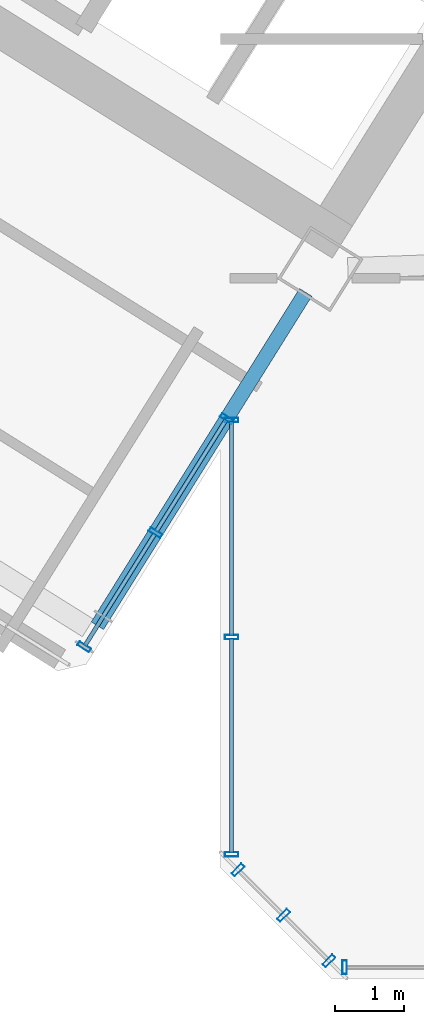
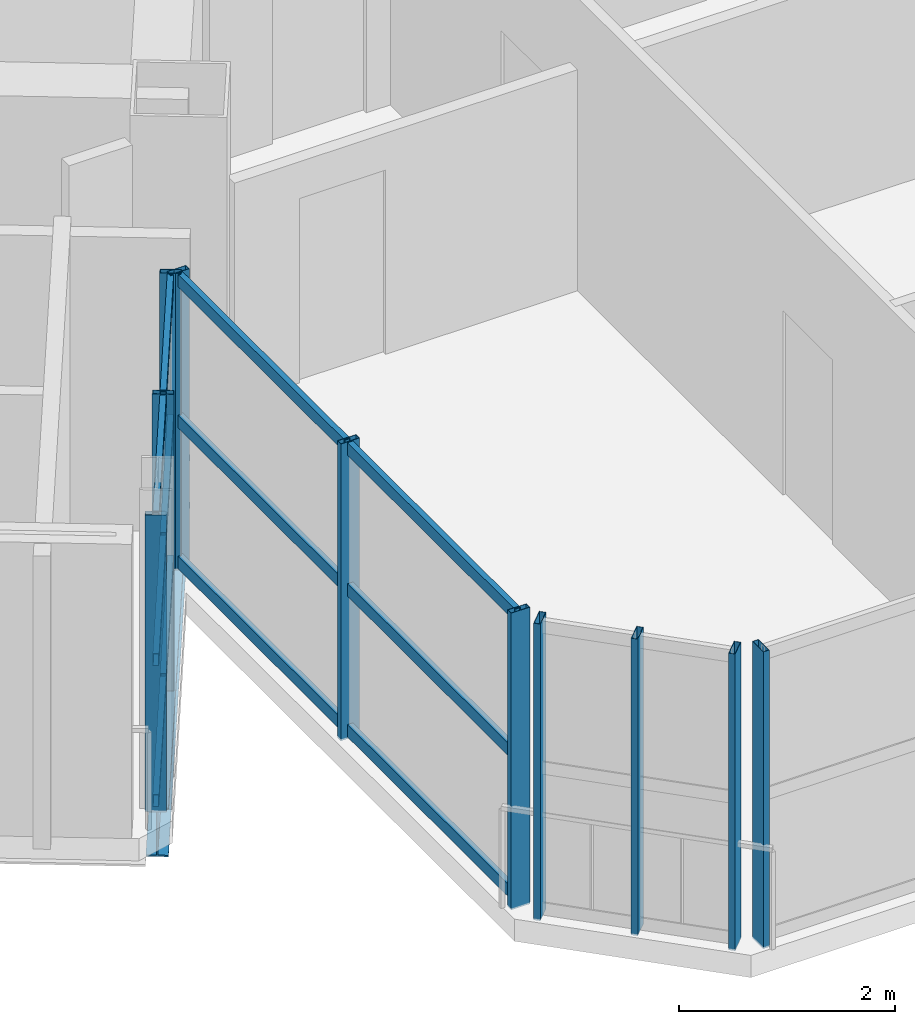
# One storey, part 6 of 29: 22 members, 1 beam, 4 elements without a shape of their own.
"""IFC4 building model written with IfcOpenShell, lengths in metres."""

from ifc_helpers import new_model, si_unit, direction, frame, origin, origin_2d, place, context, subcontext, project, spatial, hollow_rectangle, i_section, extrude, source, transform, mapped, material, material_profile, profile_set, type_object, element, aggregate, save


model = new_model("IFC4")

# Units and contexts
model_context = context("Model", 3, precision=1e-05, world=origin(), true_north=direction((0.0, 1.0)))
body_context = subcontext(model_context, "Body", "Model", "MODEL_VIEW")
ifc_project = project(units=[si_unit("LENGTHUNIT", "METRE"), si_unit("AREAUNIT", "SQUARE_METRE"), si_unit("VOLUMEUNIT", "CUBIC_METRE"), si_unit("PLANEANGLEUNIT", "RADIAN"), si_unit("MASSUNIT", "GRAM", prefix="KILO")], contexts=[model_context])

# Site, building, storey
site_placement = place(None, origin())
site = spatial("IfcSite", under=ifc_project, at=site_placement, CompositionType="ELEMENT")
building_placement = place(site_placement, origin())
building = spatial("IfcBuilding", under=site, at=building_placement, Name="Tlacorven Tower", CompositionType="ELEMENT")
storey_placement = place(building_placement, frame((0.0, 0.0, 165.89990234375)))
storey = spatial("IfcBuildingStorey", under=building, at=storey_placement, Name="L42", CompositionType="ELEMENT", Elevation=165.89990234375)

# Beam
ifc_material_1 = material(Name="Steel S355J2", Category="steel")
ifc_material_profile_1 = material_profile(ifc_material_1, i_section(OverallWidth=0.2099609375, OverallDepth=0.550048828125, WebThickness=0.010986328125, FlangeThickness=0.01708984375, at=origin_2d()), Name="IPE 550")
ifc_profile_set_1 = profile_set([ifc_material_profile_1], Name="Steel S355J2")
beam_type = type_object("IfcBeamType", Name="BM-TWR-550", PredefinedType="BEAM", material=ifc_profile_set_1)
shared_shape_1 = source(origin(), body_context, "Body", "SweptSolid", [
    extrude(i_section(OverallWidth=0.2099609375, OverallDepth=0.550048828125, WebThickness=0.010986328125, FlangeThickness=0.01708984375, at=origin_2d()), origin(), (0.0, 0.0, 1.0), 5.699951171875),
])
beam_placement = place(storey_placement, frame((32.834228515625, 11.74755859375, -0.52490234375), z_axis=(-0.529925785607, -0.848044021115, 0.0), x_axis=(0.848044021115, -0.529925785607, 0.0)))
element("IfcBeam", 1, at=beam_placement, inside=storey, type_object=beam_type, Name="L42 beam BM-L42-WT1-2", PredefinedType="BEAM", context=body_context, shape_type="MappedRepresentation", body=[
    mapped(shared_shape_1, transform((0.0, 0.0, 0.0), scale=1.0)),
])

# Curtain wall, members
ifc_material_2 = material(Name="Dark solar low-E double glazing in aluminium frame", Category="aluminium")
curtain_wall_type = type_object("IfcCurtainWallType", Name="CW-TWR-MID", PredefinedType="USERDEFINED", material=ifc_material_2)
curtain_wall_1_placement = place(storey_placement, origin())
curtain_wall_1 = element("IfcCurtainWall", 2, at=curtain_wall_1_placement, inside=storey, type_object=curtain_wall_type, Name="L42 CW-TWR-MID Curtain Wall 193", ObjectType="UNITISED CURTAIN WALL", PredefinedType="USERDEFINED")
ifc_material_3 = material(Name="Aluminium 6063-T6 anodised", Category="aluminium")
ifc_material_profile_2 = material_profile(ifc_material_3, hollow_rectangle(XDim=0.06005859375, YDim=0.139892578125, WallThickness=0.00390625, at=origin_2d()), Name="ALU TRANSOM 60X140")
ifc_profile_set_2 = profile_set([ifc_material_profile_2], Name="Aluminium 6063-T6 anodised")
member_type_1 = type_object("IfcMemberType", Name="CWT-02", PredefinedType="USERDEFINED", material=ifc_profile_set_2)
shared_shape_2 = source(origin(), body_context, "Body", "SweptSolid", [
    extrude(hollow_rectangle(XDim=0.06005859375, YDim=0.139892578125, WallThickness=0.00390625, at=origin_2d()), origin(), (0.0, 0.0, 1.0), 3.107666015625),
])
member_1_placement = place(storey_placement, frame((31.760009765625, 3.619384765625, 0.070068359375), z_axis=(0.0, 1.0, 0.0), x_axis=(-1.0, 0.0, 0.0)))
member_1 = element("IfcMember", 3, at=member_1_placement, type_object=member_type_1, Name="CW-L42-193 Transom 1", ObjectType="TRANSOM", PredefinedType="USERDEFINED", context=body_context, shape_type="MappedRepresentation", body=[
    mapped(shared_shape_2, transform((0.0, 0.0, 0.0), scale=1.0)),
])
member_2_placement = place(storey_placement, frame((31.760009765625, 3.619384765625, 1.66015625), z_axis=(0.0, 1.0, 0.0), x_axis=(-1.0, 0.0, 0.0)))
member_2 = element("IfcMember", 4, at=member_2_placement, type_object=member_type_1, Name="CW-L42-193 Transom 2", ObjectType="TRANSOM", PredefinedType="USERDEFINED", context=body_context, shape_type="MappedRepresentation", body=[
    mapped(shared_shape_2, transform((0.0, 0.0, 0.0), scale=1.0)),
])
member_3_placement = place(storey_placement, frame((31.760009765625, 3.619384765625, 3.25), z_axis=(0.0, 1.0, 0.0), x_axis=(-1.0, 0.0, 0.0)))
member_3 = element("IfcMember", 5, at=member_3_placement, type_object=member_type_1, Name="CW-L42-193 Transom 3", ObjectType="TRANSOM", PredefinedType="USERDEFINED", context=body_context, shape_type="MappedRepresentation", body=[
    mapped(shared_shape_2, transform((0.0, 0.0, 0.0), scale=1.0)),
])
member_4_placement = place(storey_placement, frame((31.760009765625, 6.76806640625, 0.070068359375), z_axis=(0.0, 1.0, 0.0), x_axis=(-1.0, 0.0, 0.0)))
member_4 = element("IfcMember", 6, at=member_4_placement, type_object=member_type_1, Name="CW-L42-193 Transom 4", ObjectType="TRANSOM", PredefinedType="USERDEFINED", context=body_context, shape_type="MappedRepresentation", body=[
    mapped(shared_shape_2, transform((0.0, 0.0, 0.0), scale=1.0)),
])
member_5_placement = place(storey_placement, frame((31.760009765625, 6.76806640625, 1.66015625), z_axis=(0.0, 1.0, 0.0), x_axis=(-1.0, 0.0, 0.0)))
member_5 = element("IfcMember", 7, at=member_5_placement, type_object=member_type_1, Name="CW-L42-193 Transom 5", ObjectType="TRANSOM", PredefinedType="USERDEFINED", context=body_context, shape_type="MappedRepresentation", body=[
    mapped(shared_shape_2, transform((0.0, 0.0, 0.0), scale=1.0)),
])
member_6_placement = place(storey_placement, frame((31.760009765625, 6.76806640625, 3.25), z_axis=(0.0, 1.0, 0.0), x_axis=(-1.0, 0.0, 0.0)))
member_6 = element("IfcMember", 8, at=member_6_placement, type_object=member_type_1, Name="CW-L42-193 Transom 6", ObjectType="TRANSOM", PredefinedType="USERDEFINED", context=body_context, shape_type="MappedRepresentation", body=[
    mapped(shared_shape_2, transform((0.0, 0.0, 0.0), scale=1.0)),
])

curtain_wall_2_placement = place(storey_placement, origin())
curtain_wall_2 = element("IfcCurtainWall", 9, at=curtain_wall_2_placement, inside=storey, type_object=curtain_wall_type, Name="L42 CW-TWR-MID Curtain Wall 194", ObjectType="UNITISED CURTAIN WALL", PredefinedType="USERDEFINED")
shared_shape_3 = source(origin(), body_context, "Body", "SweptSolid", [
    extrude(hollow_rectangle(XDim=0.06005859375, YDim=0.139892578125, WallThickness=0.00390625, at=origin_2d()), origin(), (0.0, 0.0, 1.0), 1.909912109375),
])
member_7_placement = place(storey_placement, frame((31.678955078125, 9.89892578125, 0.070068359375), z_axis=(-0.529975959448, -0.848012666419, 0.0), x_axis=(0.848012666419, -0.529975959448, 0.0)))
member_7 = element("IfcMember", 10, at=member_7_placement, type_object=member_type_1, Name="CW-L42-194 Transom 1", ObjectType="TRANSOM", PredefinedType="USERDEFINED", context=body_context, shape_type="MappedRepresentation", body=[
    mapped(shared_shape_3, transform((0.0, 0.0, 0.0), scale=1.0)),
])
member_8_placement = place(storey_placement, frame((31.678955078125, 9.89892578125, 1.66015625), z_axis=(-0.529975959448, -0.848012666419, 0.0), x_axis=(0.848012666419, -0.529975959448, 0.0)))
member_8 = element("IfcMember", 11, at=member_8_placement, type_object=member_type_1, Name="CW-L42-194 Transom 2", ObjectType="TRANSOM", PredefinedType="USERDEFINED", context=body_context, shape_type="MappedRepresentation", body=[
    mapped(shared_shape_3, transform((0.0, 0.0, 0.0), scale=1.0)),
])
member_9_placement = place(storey_placement, frame((31.678955078125, 9.89892578125, 3.25), z_axis=(-0.529975959448, -0.848012666419, 0.0), x_axis=(0.848012666419, -0.529975959448, 0.0)))
member_9 = element("IfcMember", 12, at=member_9_placement, type_object=member_type_1, Name="CW-L42-194 Transom 3", ObjectType="TRANSOM", PredefinedType="USERDEFINED", context=body_context, shape_type="MappedRepresentation", body=[
    mapped(shared_shape_3, transform((0.0, 0.0, 0.0), scale=1.0)),
])
shared_shape_4 = source(origin(), body_context, "Body", "SweptSolid", [
    extrude(hollow_rectangle(XDim=0.06005859375, YDim=0.139892578125, WallThickness=0.00390625, at=origin_2d()), origin(), (0.0, 0.0, 1.0), 1.90966796875),
])
member_10_placement = place(storey_placement, frame((30.64501953125, 8.244384765625, 0.070068359375), z_axis=(-0.529884025548, -0.848070114713, 0.0), x_axis=(0.848070114713, -0.529884025548, 0.0)))
member_10 = element("IfcMember", 13, at=member_10_placement, type_object=member_type_1, Name="CW-L42-194 Transom 4", ObjectType="TRANSOM", PredefinedType="USERDEFINED", context=body_context, shape_type="MappedRepresentation", body=[
    mapped(shared_shape_4, transform((0.0, 0.0, 0.0), scale=1.0)),
])
member_11_placement = place(storey_placement, frame((30.64501953125, 8.244384765625, 1.66015625), z_axis=(-0.529884025548, -0.848070114713, 0.0), x_axis=(0.848070114713, -0.529884025548, 0.0)))
member_11 = element("IfcMember", 14, at=member_11_placement, type_object=member_type_1, Name="CW-L42-194 Transom 5", ObjectType="TRANSOM", PredefinedType="USERDEFINED", context=body_context, shape_type="MappedRepresentation", body=[
    mapped(shared_shape_4, transform((0.0, 0.0, 0.0), scale=1.0)),
])
member_12_placement = place(storey_placement, frame((30.64501953125, 8.244384765625, 3.25), z_axis=(-0.529884025548, -0.848070114713, 0.0), x_axis=(0.848070114713, -0.529884025548, 0.0)))
member_12 = element("IfcMember", 15, at=member_12_placement, type_object=member_type_1, Name="CW-L42-194 Transom 6", ObjectType="TRANSOM", PredefinedType="USERDEFINED", context=body_context, shape_type="MappedRepresentation", body=[
    mapped(shared_shape_4, transform((0.0, 0.0, 0.0), scale=1.0)),
])

# Curtain wall, member
curtain_wall_3_placement = place(storey_placement, origin())
curtain_wall_3 = element("IfcCurtainWall", 16, at=curtain_wall_3_placement, inside=storey, type_object=curtain_wall_type, Name="L42 CW-TWR-MID Curtain Wall 191", ObjectType="UNITISED CURTAIN WALL", PredefinedType="USERDEFINED")
ifc_material_profile_3 = material_profile(ifc_material_3, hollow_rectangle(XDim=0.06494140625, YDim=0.199951171875, WallThickness=0.00439453125, at=origin_2d()), Name="ALU MULLION 65X200")
ifc_profile_set_3 = profile_set([ifc_material_profile_3], Name="Aluminium 6063-T6 anodised")
member_type_2 = type_object("IfcMemberType", Name="CWM-02", PredefinedType="MULLION", material=ifc_profile_set_3)
shared_shape_5 = source(origin(), body_context, "Body", "SweptSolid", [
    extrude(hollow_rectangle(XDim=0.06494140625, YDim=0.199951171875, WallThickness=0.00439453125, at=origin_2d()), origin(), (0.0, 0.0, 1.0), 3.35009765625),
])
member_13_placement = place(storey_placement, frame((33.398681640625, 1.9599609375, -0.02001953125), z_axis=(0.0, 0.0, 1.0), x_axis=(-1.0, 0.0, 0.0)))
member_13 = element("IfcMember", 17, at=member_13_placement, type_object=member_type_2, Name="CW-L42-191 Mullion 4", PredefinedType="MULLION", context=body_context, shape_type="MappedRepresentation", body=[
    mapped(shared_shape_5, transform((0.0, 0.0, 0.0), scale=1.0)),
])
aggregate(curtain_wall_3, [member_13])

# Curtain wall, members
curtain_wall_4_placement = place(storey_placement, origin())
curtain_wall_4 = element("IfcCurtainWall", 18, at=curtain_wall_4_placement, inside=storey, type_object=curtain_wall_type, Name="L42 CW-TWR-MID Curtain Wall 192", ObjectType="UNITISED CURTAIN WALL", PredefinedType="USERDEFINED")
member_14_placement = place(storey_placement, frame((33.172607421875, 2.0537109375, -0.02001953125), z_axis=(0.0, 0.0, 1.0), x_axis=(-0.707106781187, 0.707106781187, 0.0)))
member_14 = element("IfcMember", 19, at=member_14_placement, type_object=member_type_2, Name="CW-L42-192 Mullion 1", PredefinedType="MULLION", context=body_context, shape_type="MappedRepresentation", body=[
    mapped(shared_shape_5, transform((0.0, 0.0, 0.0), scale=1.0)),
])
member_15_placement = place(storey_placement, frame((32.51318359375, 2.713134765625, -0.02001953125), z_axis=(0.0, 0.0, 1.0), x_axis=(-0.707106781187, 0.707106781187, 0.0)))
member_15 = element("IfcMember", 20, at=member_15_placement, type_object=member_type_2, Name="CW-L42-192 Mullion 2", PredefinedType="MULLION", context=body_context, shape_type="MappedRepresentation", body=[
    mapped(shared_shape_5, transform((0.0, 0.0, 0.0), scale=1.0)),
])
member_16_placement = place(storey_placement, frame((31.853759765625, 3.37255859375, -0.02001953125), z_axis=(0.0, 0.0, 1.0), x_axis=(-0.707106781187, 0.707106781187, 0.0)))
member_16 = element("IfcMember", 21, at=member_16_placement, type_object=member_type_2, Name="CW-L42-192 Mullion 3", PredefinedType="MULLION", context=body_context, shape_type="MappedRepresentation", body=[
    mapped(shared_shape_5, transform((0.0, 0.0, 0.0), scale=1.0)),
])
aggregate(curtain_wall_4, [member_14, member_15, member_16])

# Member
member_17_placement = place(storey_placement, frame((31.760009765625, 3.598876953125, -0.02001953125), z_axis=(0.0, 0.0, 1.0), x_axis=(0.0, 1.0, 0.0)))
member_17 = element("IfcMember", 22, at=member_17_placement, type_object=member_type_2, Name="CW-L42-193 Mullion 1", PredefinedType="MULLION", context=body_context, shape_type="MappedRepresentation", body=[
    mapped(shared_shape_5, transform((0.0, 0.0, 0.0), scale=1.0)),
])

member_18_placement = place(storey_placement, frame((31.760009765625, 6.74755859375, -0.02001953125), z_axis=(0.0, 0.0, 1.0), x_axis=(0.0, 1.0, 0.0)))
member_18 = element("IfcMember", 23, at=member_18_placement, type_object=member_type_2, Name="CW-L42-193 Mullion 2", PredefinedType="MULLION", context=body_context, shape_type="MappedRepresentation", body=[
    mapped(shared_shape_5, transform((0.0, 0.0, 0.0), scale=1.0)),
])

member_19_placement = place(storey_placement, frame((31.760009765625, 9.896240234375, -0.02001953125), z_axis=(0.0, 0.0, 1.0), x_axis=(0.0, 1.0, 0.0)))
member_19 = element("IfcMember", 24, at=member_19_placement, type_object=member_type_2, Name="CW-L42-193 Mullion 3", PredefinedType="MULLION", context=body_context, shape_type="MappedRepresentation", body=[
    mapped(shared_shape_5, transform((0.0, 0.0, 0.0), scale=1.0)),
])

aggregate(curtain_wall_1, [member_17, member_18, member_19, member_1, member_2, member_3, member_4, member_5, member_6])

member_20_placement = place(storey_placement, frame((31.689697265625, 9.916259765625, -0.02001953125), z_axis=(0.0, 0.0, 1.0), x_axis=(-0.529918710919, -0.848048441905, 0.0)))
member_20 = element("IfcMember", 25, at=member_20_placement, type_object=member_type_2, Name="CW-L42-194 Mullion 1", PredefinedType="MULLION", context=body_context, shape_type="MappedRepresentation", body=[
    mapped(shared_shape_5, transform((0.0, 0.0, 0.0), scale=1.0)),
])

member_21_placement = place(storey_placement, frame((30.656005859375, 8.261962890625, -0.02001953125), z_axis=(0.0, 0.0, 1.0), x_axis=(-0.529918710919, -0.848048441905, 0.0)))
member_21 = element("IfcMember", 26, at=member_21_placement, type_object=member_type_2, Name="CW-L42-194 Mullion 2", PredefinedType="MULLION", context=body_context, shape_type="MappedRepresentation", body=[
    mapped(shared_shape_5, transform((0.0, 0.0, 0.0), scale=1.0)),
])

member_22_placement = place(storey_placement, frame((29.622314453125, 6.607421875, -0.02001953125), z_axis=(0.0, 0.0, 1.0), x_axis=(-0.529918710919, -0.848048441905, 0.0)))
member_22 = element("IfcMember", 27, at=member_22_placement, type_object=member_type_2, Name="CW-L42-194 Mullion 3", PredefinedType="MULLION", context=body_context, shape_type="MappedRepresentation", body=[
    mapped(shared_shape_5, transform((0.0, 0.0, 0.0), scale=1.0)),
])

aggregate(curtain_wall_2, [member_20, member_21, member_22, member_7, member_8, member_9, member_10, member_11, member_12])

save(model, "model.ifc")
